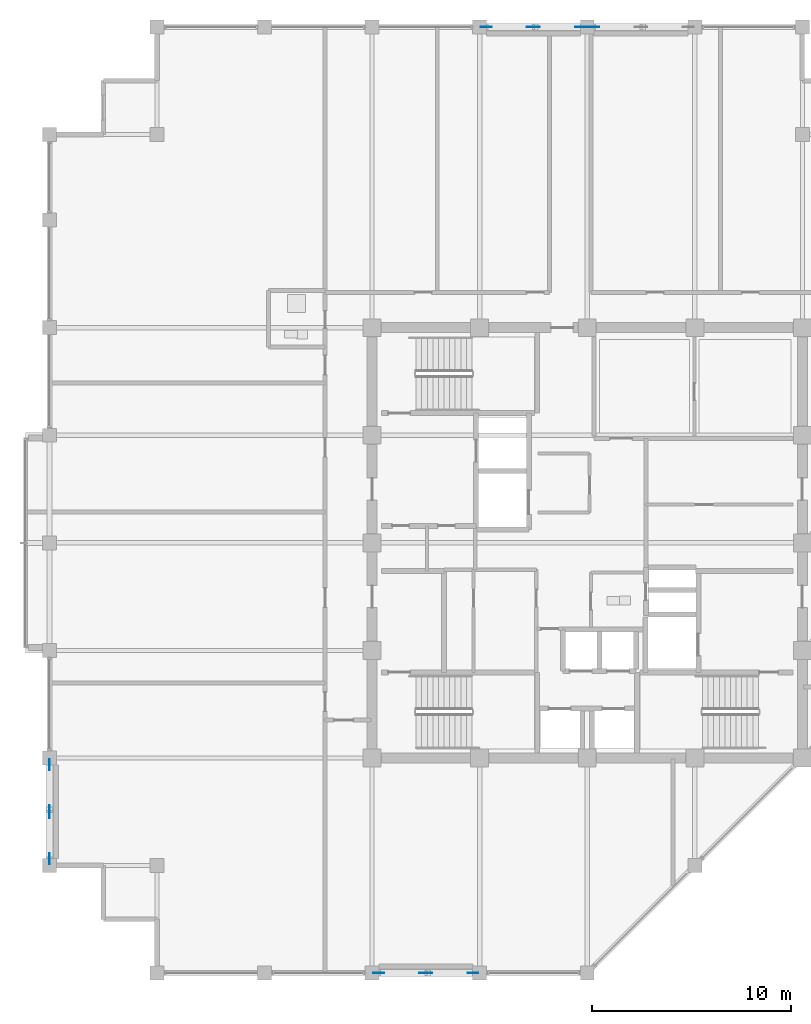
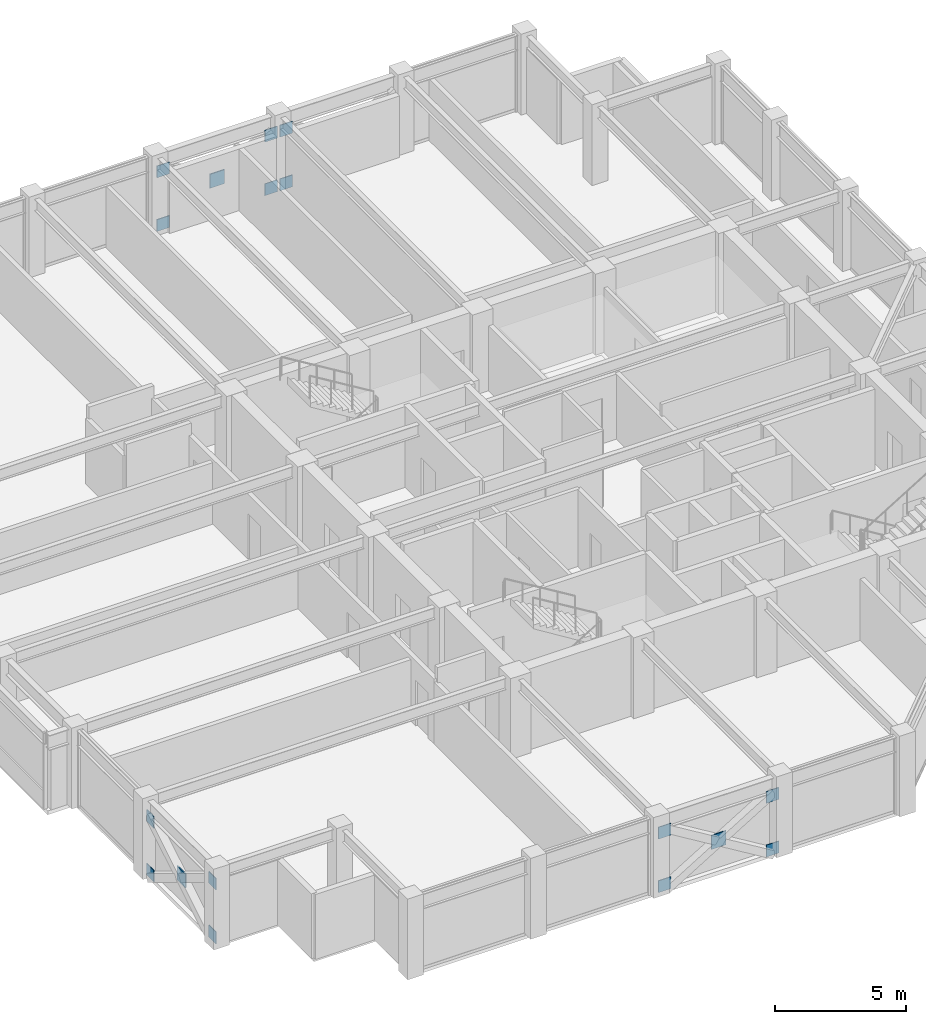
# One storey, part 24 of 32: 17 plates.
"""IFC4 building model written with IfcOpenShell, lengths in metres."""

from ifc_helpers import new_model, si_unit, direction, frame, origin, origin_2d, place, context, subcontext, project, spatial, rectangle, extrude, material, layer, layer_set, type_object, element, save


model = new_model("IFC4")

# Units and contexts
model_context = context("Model", 3, precision=1e-05, world=origin(), true_north=direction((0.0, 1.0)))
body_context = subcontext(model_context, "Body", "Model", "MODEL_VIEW")
ifc_project = project(units=[si_unit("LENGTHUNIT", "METRE"), si_unit("AREAUNIT", "SQUARE_METRE"), si_unit("VOLUMEUNIT", "CUBIC_METRE"), si_unit("PLANEANGLEUNIT", "RADIAN"), si_unit("MASSUNIT", "GRAM", prefix="KILO")], contexts=[model_context])

# Site, building, storey
site_placement = place(None, origin())
site = spatial("IfcSite", under=ifc_project, at=site_placement, CompositionType="ELEMENT")
building_placement = place(site_placement, origin())
building = spatial("IfcBuilding", under=site, at=building_placement, Name="Surkhivell Harbour Commons", CompositionType="ELEMENT")
storey_placement = place(building_placement, frame((0.0, 0.0, 311.25)))
storey = spatial("IfcBuildingStorey", under=building, at=storey_placement, Name="L81", CompositionType="ELEMENT", Elevation=311.25)

# Plates
ifc_material = material(Name="Steel S460", Category="steel")
ifc_layer_1 = layer(ifc_material, 0.035888671875)
ifc_layer_set_1 = layer_set([ifc_layer_1], Name="Steel S460")
plate_type_1 = type_object("IfcPlateType", Name="PLT-GUS-550", PredefinedType="USERDEFINED", material=ifc_layer_set_1)
for number, where, z_axis, x_axis, name in (
    (1, (-5.06494140625, 25.89990234375, -0.07470703125), (0.0, 0.0, 1.0), (1.0, 0.0, 0.0), "L81 Perimeter Mega-Brace MB- Corner Gusset N-1"),
    (2, (-0.3349609375, 25.89990234375, -0.07470703125), (0.0, 0.0, 1.0), (1.0, 0.0, 0.0), "L81 Perimeter Mega-Brace MB- Corner Gusset N-2"),
    (3, (-5.06494140625, 25.89990234375, 2.41357421875), (0.0, 0.0, 1.0), (1.0, 0.0, 0.0), "L81 Perimeter Mega-Brace MB- Corner Gusset N-3"),
    (4, (-0.3349609375, 25.89990234375, 2.41357421875), (0.0, 0.0, 1.0), (1.0, 0.0, 0.0), "L81 Perimeter Mega-Brace MB- Corner Gusset N-4"),
    (5, (0.3349609375, 25.89990234375, -0.07470703125), (0.0, 0.0, 1.0), (1.0, 0.0, 0.0), "L81 Perimeter Mega-Brace MB- Corner Gusset N2-1"),
    (6, (0.3349609375, 25.89990234375, 2.41357421875), (0.0, 0.0, 1.0), (1.0, 0.0, 0.0), "L81 Perimeter Mega-Brace MB- Corner Gusset N2-3"),
    (7, (-10.465087890625, -21.60009765625, -0.07470703125), (0.0, 0.0, 1.0), (1.0, 0.0, 0.0), "L81 Perimeter Mega-Brace MB- Corner Gusset S-1"),
    (8, (-5.735107421875, -21.60009765625, -0.07470703125), (0.0, 0.0, 1.0), (1.0, 0.0, 0.0), "L81 Perimeter Mega-Brace MB- Corner Gusset S-2"),
    (9, (-10.465087890625, -21.60009765625, 2.41357421875), (0.0, 0.0, 1.0), (1.0, 0.0, 0.0), "L81 Perimeter Mega-Brace MB- Corner Gusset S-3"),
    (10, (-5.735107421875, -21.60009765625, 2.41357421875), (0.0, 0.0, 1.0), (1.0, 0.0, 0.0), "L81 Perimeter Mega-Brace MB- Corner Gusset S-4"),
    (11, (-27.0, -15.864990234375, -0.07470703125), (0.0, 0.0, 1.0), (0.0, 1.0, 0.0), "L81 Perimeter Mega-Brace MB- Corner Gusset W-1"),
    (12, (-27.0, -11.135009765625, -0.07470703125), (0.0, 0.0, 1.0), (0.0, 1.0, 0.0), "L81 Perimeter Mega-Brace MB- Corner Gusset W-2"),
    (13, (-27.0, -15.864990234375, 2.41357421875), (0.0, 0.0, 1.0), (0.0, 1.0, 0.0), "L81 Perimeter Mega-Brace MB- Corner Gusset W-3"),
    (14, (-27.0, -11.135009765625, 2.41357421875), (0.0, 0.0, 1.0), (0.0, 1.0, 0.0), "L81 Perimeter Mega-Brace MB- Corner Gusset W-4"),
):
    element("IfcPlate", number, at=place(storey_placement, frame(where, z_axis=z_axis, x_axis=x_axis)), inside=storey, type_object=plate_type_1, Name=name, ObjectType="GUSSET_PLATE", PredefinedType="USERDEFINED", context=body_context, shape_type="SweptSolid", body=[
        extrude(rectangle(XDim=0.550048828125, YDim=0.035888671875, at=origin_2d()), origin(), (0.0, 0.0, 1.0), 0.550048828125),
    ])
ifc_layer_2 = layer(ifc_material, 0.044921875)
ifc_layer_set_2 = layer_set([ifc_layer_2], Name="Steel S460")
plate_type_2 = type_object("IfcPlateType", Name="PLT-GUS-650", PredefinedType="USERDEFINED", material=ifc_layer_set_2)
for number, where, z_axis, x_axis, name in (
    (15, (-2.699951171875, 25.89990234375, 1.11962890625), (0.0, 0.0, 1.0), (1.0, 0.0, 0.0), "L81 Perimeter Mega-Brace MB- Central Crossing Gusset N"),
    (16, (-8.10009765625, -21.60009765625, 1.11962890625), (0.0, 0.0, 1.0), (1.0, 0.0, 0.0), "L81 Perimeter Mega-Brace MB- Central Crossing Gusset S"),
    (17, (-27.0, -13.5, 1.11962890625), (0.0, 0.0, 1.0), (0.0, 1.0, 0.0), "L81 Perimeter Mega-Brace MB- Central Crossing Gusset W"),
):
    element("IfcPlate", number, at=place(storey_placement, frame(where, z_axis=z_axis, x_axis=x_axis)), inside=storey, type_object=plate_type_2, Name=name, ObjectType="GUSSET_PLATE", PredefinedType="USERDEFINED", context=body_context, shape_type="SweptSolid", body=[
        extrude(rectangle(XDim=0.64990234375, YDim=0.044921875, at=origin_2d()), origin(), (0.0, 0.0, 1.0), 0.64990234375),
    ])

save(model, "model.ifc")
